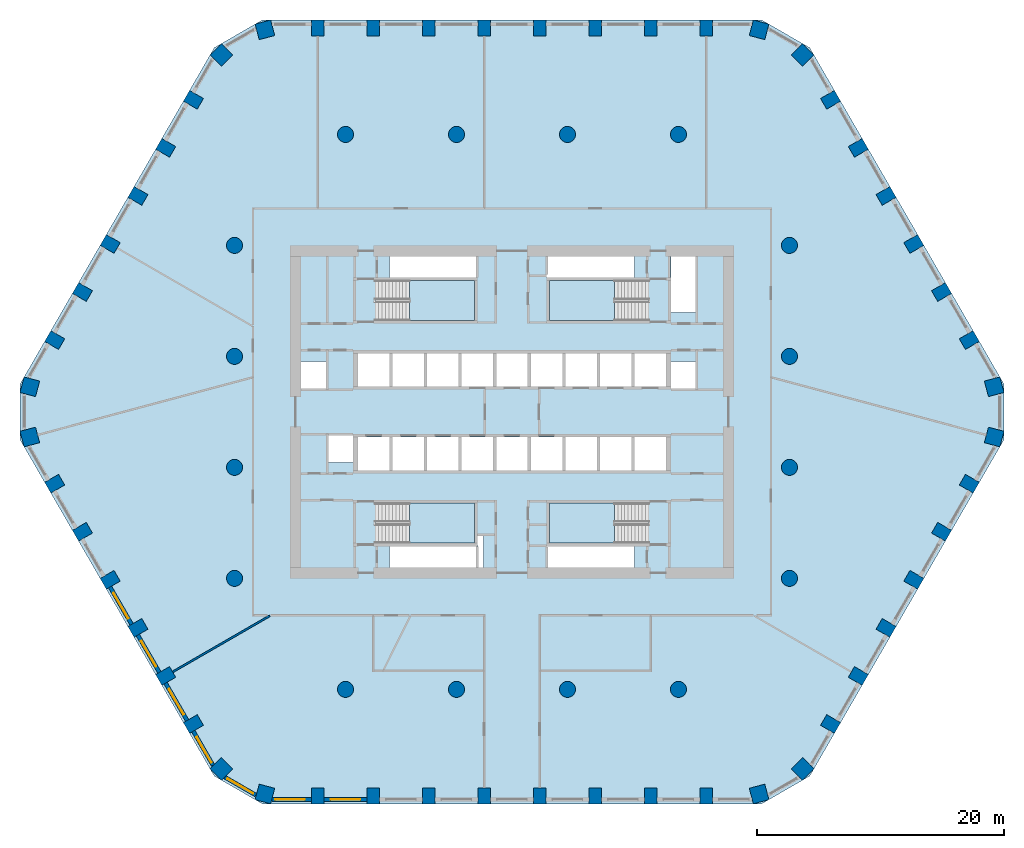
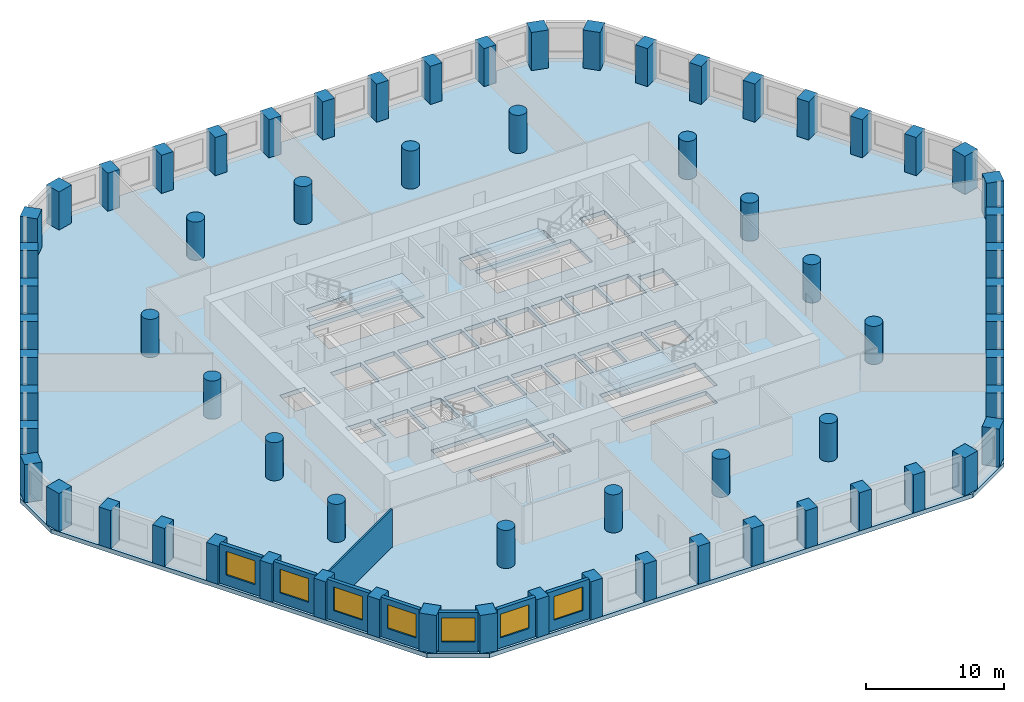
# One storey, part 1 of 9: 68 columns, 8 walls, 7 windows, 5 slabs, 7 openings, 4 elements without a shape of their own.
"""IFC4 building model written with IfcOpenShell, lengths in metres."""

from ifc_helpers import new_model, si_unit, direction, frame, frame_2d, origin, origin_2d, place, context, subcontext, project, spatial, polyline, rectangle, circle, outline, extrude, material, layer, layer_set, material_profile, profile_set, type_object, element, fill, aggregate, save


model = new_model("IFC4")

# Units and contexts
model_context = context("Model", 3, precision=1e-05, world=origin(), true_north=direction((0.0, 1.0)))
body_context = subcontext(model_context, "Body", "Model", "MODEL_VIEW")
ifc_project = project(units=[si_unit("LENGTHUNIT", "METRE"), si_unit("AREAUNIT", "SQUARE_METRE"), si_unit("VOLUMEUNIT", "CUBIC_METRE"), si_unit("PLANEANGLEUNIT", "RADIAN"), si_unit("MASSUNIT", "GRAM", prefix="KILO")], contexts=[model_context])

# Site, building, storey
site_placement = place(None, origin())
site = spatial("IfcSite", under=ifc_project, at=site_placement, CompositionType="ELEMENT")
building_placement = place(site_placement, origin())
building = spatial("IfcBuilding", under=site, at=building_placement, Name="Dhurran Vertical Campus", CompositionType="ELEMENT")
storey_placement = place(building_placement, frame((0.0, 0.0, 124.199951171875)))
storey = spatial("IfcBuildingStorey", under=building, at=storey_placement, Name="L30", CompositionType="ELEMENT", Elevation=124.199951171875)

# Columns
ifc_material_1 = material(Name="Concrete C60/75", Category="concrete")
ifc_material_profile_1 = material_profile(ifc_material_1, rectangle(XDim=1.0, YDim=1.300048828125, at=origin_2d()), Name="RC 1000x1300")
ifc_profile_set_1 = profile_set([ifc_material_profile_1], Name="Concrete C60/75")
column_type_1 = type_object("IfcColumnType", Name="FR COL RC 1000x1300 C60/75", PredefinedType="COLUMN", material=ifc_profile_set_1)
for number, where, z_axis, x_axis, name in (
    (1, (-15.75, -31.1298828125, 0.0), (0.0, 0.0, 1.0), (1.0, 0.0, 0.0), "Perimeter pier PP2.01"),
    (2, (-11.25, -31.1298828125, 0.0), (0.0, 0.0, 1.0), (1.0, 0.0, 0.0), "Perimeter pier PP2.02"),
    (3, (-6.75, -31.1298828125, 0.0), (0.0, 0.0, 1.0), (1.0, 0.0, 0.0), "Perimeter pier PP2.03"),
    (4, (-2.25, -31.1298828125, 0.0), (0.0, 0.0, 1.0), (1.0, 0.0, 0.0), "Perimeter pier PP2.04"),
    (5, (2.25, -31.1298828125, 0.0), (0.0, 0.0, 1.0), (1.0, 0.0, 0.0), "Perimeter pier PP2.05"),
    (6, (6.75, -31.1298828125, 0.0), (0.0, 0.0, 1.0), (1.0, 0.0, 0.0), "Perimeter pier PP2.06"),
    (7, (11.25, -31.1298828125, 0.0), (0.0, 0.0, 1.0), (1.0, 0.0, 0.0), "Perimeter pier PP2.07"),
    (8, (15.75, -31.1298828125, 0.0), (0.0, 0.0, 1.0), (1.0, 0.0, 0.0), "Perimeter pier PP2.08"),
    (9, (25.834228515625, -25.3076171875, 0.0), (0.0, 0.0, 1.0), (0.5, 0.866025403784, 0.0), "Perimeter pier PP2.11"),
    (10, (28.084228515625, -21.41064453125, 0.0), (0.0, 0.0, 1.0), (0.5, 0.866025403784, 0.0), "Perimeter pier PP2.12"),
    (11, (30.334228515625, -17.513427734375, 0.0), (0.0, 0.0, 1.0), (0.5, 0.866025403784, 0.0), "Perimeter pier PP2.13"),
    (12, (32.584228515625, -13.6162109375, 0.0), (0.0, 0.0, 1.0), (0.5, 0.866025403784, 0.0), "Perimeter pier PP2.14"),
    (13, (34.834228515625, -9.71923828125, 0.0), (0.0, 0.0, 1.0), (0.5, 0.866025403784, 0.0), "Perimeter pier PP2.15"),
    (14, (37.084228515625, -5.822021484375, 0.0), (0.0, 0.0, 1.0), (0.5, 0.866025403784, 0.0), "Perimeter pier PP2.16"),
    (15, (37.084228515625, 5.822021484375, 0.0), (0.0, 0.0, 1.0), (-0.5, 0.866025403784, 0.0), "Perimeter pier PP2.19"),
    (16, (34.834228515625, 9.71923828125, 0.0), (0.0, 0.0, 1.0), (-0.5, 0.866025403784, 0.0), "Perimeter pier PP2.20"),
    (17, (32.584228515625, 13.6162109375, 0.0), (0.0, 0.0, 1.0), (-0.5, 0.866025403784, 0.0), "Perimeter pier PP2.21"),
    (18, (30.334228515625, 17.513427734375, 0.0), (0.0, 0.0, 1.0), (-0.5, 0.866025403784, 0.0), "Perimeter pier PP2.22"),
    (19, (28.084228515625, 21.41064453125, 0.0), (0.0, 0.0, 1.0), (-0.5, 0.866025403784, 0.0), "Perimeter pier PP2.23"),
    (20, (25.834228515625, 25.3076171875, 0.0), (0.0, 0.0, 1.0), (-0.5, 0.866025403784, 0.0), "Perimeter pier PP2.24"),
    (21, (15.75, 31.1298828125, 0.0), (0.0, 0.0, 1.0), (-1.0, 0.0, 0.0), "Perimeter pier PP2.27"),
    (22, (11.25, 31.1298828125, 0.0), (0.0, 0.0, 1.0), (-1.0, 0.0, 0.0), "Perimeter pier PP2.28"),
    (23, (6.75, 31.1298828125, 0.0), (0.0, 0.0, 1.0), (-1.0, 0.0, 0.0), "Perimeter pier PP2.29"),
    (24, (2.25, 31.1298828125, 0.0), (0.0, 0.0, 1.0), (-1.0, 0.0, 0.0), "Perimeter pier PP2.30"),
    (25, (-2.25, 31.1298828125, 0.0), (0.0, 0.0, 1.0), (-1.0, 0.0, 0.0), "Perimeter pier PP2.31"),
    (26, (-6.75, 31.1298828125, 0.0), (0.0, 0.0, 1.0), (-1.0, 0.0, 0.0), "Perimeter pier PP2.32"),
    (27, (-11.25, 31.1298828125, 0.0), (0.0, 0.0, 1.0), (-1.0, 0.0, 0.0), "Perimeter pier PP2.33"),
    (28, (-15.75, 31.1298828125, 0.0), (0.0, 0.0, 1.0), (-1.0, 0.0, 0.0), "Perimeter pier PP2.34"),
    (29, (-25.834228515625, 25.3076171875, 0.0), (0.0, 0.0, 1.0), (-0.5, -0.866025403784, 0.0), "Perimeter pier PP2.37"),
    (30, (-28.084228515625, 21.41064453125, 0.0), (0.0, 0.0, 1.0), (-0.5, -0.866025403784, 0.0), "Perimeter pier PP2.38"),
    (31, (-30.334228515625, 17.513427734375, 0.0), (0.0, 0.0, 1.0), (-0.5, -0.866025403784, 0.0), "Perimeter pier PP2.39"),
    (32, (-32.584228515625, 13.6162109375, 0.0), (0.0, 0.0, 1.0), (-0.5, -0.866025403784, 0.0), "Perimeter pier PP2.40"),
    (33, (-34.834228515625, 9.71923828125, 0.0), (0.0, 0.0, 1.0), (-0.5, -0.866025403784, 0.0), "Perimeter pier PP2.41"),
    (34, (-37.084228515625, 5.822021484375, 0.0), (0.0, 0.0, 1.0), (-0.5, -0.866025403784, 0.0), "Perimeter pier PP2.42"),
    (35, (-37.084228515625, -5.822021484375, 0.0), (0.0, 0.0, 1.0), (0.5, -0.866025403784, 0.0), "Perimeter pier PP2.45"),
    (36, (-34.834228515625, -9.71923828125, 0.0), (0.0, 0.0, 1.0), (0.5, -0.866025403784, 0.0), "Perimeter pier PP2.46"),
    (37, (-32.584228515625, -13.6162109375, 0.0), (0.0, 0.0, 1.0), (0.5, -0.866025403784, 0.0), "Perimeter pier PP2.47"),
    (38, (-30.334228515625, -17.513427734375, 0.0), (0.0, 0.0, 1.0), (0.5, -0.866025403784, 0.0), "Perimeter pier PP2.48"),
    (39, (-28.084228515625, -21.41064453125, 0.0), (0.0, 0.0, 1.0), (0.5, -0.866025403784, 0.0), "Perimeter pier PP2.49"),
    (40, (-25.834228515625, -25.3076171875, 0.0), (0.0, 0.0, 1.0), (0.5, -0.866025403784, 0.0), "Perimeter pier PP2.50"),
):
    element("IfcColumn", number, at=place(storey_placement, frame(where, z_axis=z_axis, x_axis=x_axis)), inside=storey, type_object=column_type_1, Name=name, PredefinedType="COLUMN", context=body_context, shape_type="SweptSolid", body=[
        extrude(rectangle(XDim=1.0, YDim=1.300048828125, at=origin_2d()), origin(), (0.0, 0.0, 1.0), 3.375),
    ])
ifc_material_2 = material(Name="Concrete C60/75", Category="concrete")
ifc_material_profile_2 = material_profile(ifc_material_2, rectangle(XDim=1.300048828125, YDim=1.300048828125, at=origin_2d()), Name="RC 1300x1300")
ifc_profile_set_2 = profile_set([ifc_material_profile_2], Name="Concrete C60/75")
column_type_2 = type_object("IfcColumnType", Name="FR COL RC 1300x1300 C60/75", PredefinedType="COLUMN", material=ifc_profile_set_2)
for number, where, z_axis, x_axis, name in (
    (41, (-20.03662109375, -30.983642578125, 0.0), (0.0, 0.0, 1.0), (0.965925826289, -0.258819045103, 0.0), "Perimeter pier PP2.00"),
    (42, (20.03662109375, -30.983642578125, 0.0), (0.0, 0.0, 1.0), (0.965925826289, 0.258819045103, 0.0), "Perimeter pier PP2.09"),
    (43, (23.564208984375, -28.947021484375, 0.0), (0.0, 0.0, 1.0), (0.707106781187, 0.707106781187, 0.0), "Perimeter pier PP2.10"),
    (44, (39.10107421875, -2.03662109375, 0.0), (0.0, 0.0, 1.0), (0.258819045103, 0.965925826289, 0.0), "Perimeter pier PP2.17"),
    (45, (39.10107421875, 2.03662109375, 0.0), (0.0, 0.0, 1.0), (-0.258819045103, 0.965925826289, 0.0), "Perimeter pier PP2.18"),
    (46, (23.564208984375, 28.947021484375, 0.0), (0.0, 0.0, 1.0), (-0.707106781187, 0.707106781187, 0.0), "Perimeter pier PP2.25"),
    (47, (20.03662109375, 30.983642578125, 0.0), (0.0, 0.0, 1.0), (-0.965925826289, 0.258819045103, 0.0), "Perimeter pier PP2.26"),
    (48, (-20.03662109375, 30.983642578125, 0.0), (0.0, 0.0, 1.0), (-0.965925826289, -0.258819045103, 0.0), "Perimeter pier PP2.35"),
    (49, (-23.564208984375, 28.947021484375, 0.0), (0.0, 0.0, 1.0), (-0.707106781187, -0.707106781187, 0.0), "Perimeter pier PP2.36"),
    (50, (-39.10107421875, 2.03662109375, 0.0), (0.0, 0.0, 1.0), (-0.258819045103, -0.965925826289, 0.0), "Perimeter pier PP2.43"),
    (51, (-39.10107421875, -2.03662109375, 0.0), (0.0, 0.0, 1.0), (0.258819045103, -0.965925826289, 0.0), "Perimeter pier PP2.44"),
    (52, (-23.564208984375, -28.947021484375, 0.0), (0.0, 0.0, 1.0), (0.707106781187, -0.707106781187, 0.0), "Perimeter pier PP2.51"),
):
    element("IfcColumn", number, at=place(storey_placement, frame(where, z_axis=z_axis, x_axis=x_axis)), inside=storey, type_object=column_type_2, Name=name, PredefinedType="COLUMN", context=body_context, shape_type="SweptSolid", body=[
        extrude(rectangle(XDim=1.300048828125, YDim=1.300048828125, at=origin_2d()), origin(), (0.0, 0.0, 1.0), 3.375),
    ])
ifc_material_3 = material(Name="Concrete C60/75", Category="concrete")
ifc_material_profile_3 = material_profile(ifc_material_3, circle(Radius=0.64990234375, at=origin_2d()), Name="RCC D1300")
ifc_profile_set_3 = profile_set([ifc_material_profile_3], Name="Concrete C60/75")
column_type_3 = type_object("IfcColumnType", Name="FR COL RCC D1300 C60/75", PredefinedType="COLUMN", material=ifc_profile_set_3)
for number, where, z_axis, x_axis, name in (
    (53, (-22.5, -13.5, 0.0), (0.0, 0.0, 1.0), (1.0, 0.0, 0.0), "Inner column IC2-D4"),
    (54, (-22.5, -4.5, 0.0), (0.0, 0.0, 1.0), (1.0, 0.0, 0.0), "Inner column IC2-D5"),
    (55, (-22.5, 4.5, 0.0), (0.0, 0.0, 1.0), (1.0, 0.0, 0.0), "Inner column IC2-D6"),
    (56, (-22.5, 13.5, 0.0), (0.0, 0.0, 1.0), (1.0, 0.0, 0.0), "Inner column IC2-D7"),
    (57, (-13.5, -22.5, 0.0), (0.0, 0.0, 1.0), (1.0, 0.0, 0.0), "Inner column IC2-E3"),
    (58, (-13.5, 22.5, 0.0), (0.0, 0.0, 1.0), (1.0, 0.0, 0.0), "Inner column IC2-E8"),
    (59, (-4.5, -22.5, 0.0), (0.0, 0.0, 1.0), (1.0, 0.0, 0.0), "Inner column IC2-F3"),
    (60, (-4.5, 22.5, 0.0), (0.0, 0.0, 1.0), (1.0, 0.0, 0.0), "Inner column IC2-F8"),
    (61, (4.5, -22.5, 0.0), (0.0, 0.0, 1.0), (1.0, 0.0, 0.0), "Inner column IC2-G3"),
    (62, (4.5, 22.5, 0.0), (0.0, 0.0, 1.0), (1.0, 0.0, 0.0), "Inner column IC2-G8"),
    (63, (13.5, -22.5, 0.0), (0.0, 0.0, 1.0), (1.0, 0.0, 0.0), "Inner column IC2-H3"),
    (64, (13.5, 22.5, 0.0), (0.0, 0.0, 1.0), (1.0, 0.0, 0.0), "Inner column IC2-H8"),
    (65, (22.5, -13.5, 0.0), (0.0, 0.0, 1.0), (1.0, 0.0, 0.0), "Inner column IC2-J4"),
    (66, (22.5, -4.5, 0.0), (0.0, 0.0, 1.0), (1.0, 0.0, 0.0), "Inner column IC2-J5"),
    (67, (22.5, 4.5, 0.0), (0.0, 0.0, 1.0), (1.0, 0.0, 0.0), "Inner column IC2-J6"),
    (68, (22.5, 13.5, 0.0), (0.0, 0.0, 1.0), (1.0, 0.0, 0.0), "Inner column IC2-J7"),
):
    element("IfcColumn", number, at=place(storey_placement, frame(where, z_axis=z_axis, x_axis=x_axis)), inside=storey, type_object=column_type_3, Name=name, PredefinedType="COLUMN", context=body_context, shape_type="SweptSolid", body=[
        extrude(circle(Radius=0.64990234375, at=origin_2d()), origin(), (0.0, 0.0, 1.0), 3.375),
    ])

# Slab
ifc_material_4 = material(Name="Concrete C40/50", Category="concrete")
ifc_layer_1 = layer(ifc_material_4, 0.375)
ifc_layer_set_1 = layer_set([ifc_layer_1], Name="Concrete C40/50")
slab_type_1 = type_object("IfcSlabType", Name="FR POST-TENSIONED FLAT SLAB 375", PredefinedType="FLOOR", material=ifc_layer_set_1)
slab_1_placement = place(storey_placement, frame((0.0, 0.0, -0.375)))
element("IfcSlab", 69, at=slab_1_placement, inside=storey, type_object=slab_type_1, Name="Floor slab L30", PredefinedType="FLOOR", context=body_context, shape_type="SweptSolid", body=[
    extrude(outline(polyline([(-20.25, -31.77978515625), (20.25, -31.77978515625), (24.147216796875, -29.52978515625), (39.897216796875, -2.25), (39.897216796875, 2.25), (24.147216796875, 29.52978515625), (20.25, 31.77978515625), (-20.25, 31.77978515625), (-24.147216796875, 29.52978515625), (-39.897216796875, 2.25), (-39.897216796875, -2.25), (-24.147216796875, -29.52978515625), (-20.25, -31.77978515625)]), holes=[polyline([(-12.47509765625, 2.050048828125), (-9.925048828125, 2.050048828125), (-9.925048828125, 4.75), (-12.47509765625, 4.75), (-12.47509765625, 2.050048828125)]), polyline([(-9.675048828125, 2.050048828125), (-7.125, 2.050048828125), (-7.125, 4.75), (-9.675048828125, 4.75), (-9.675048828125, 2.050048828125)]), polyline([(-6.875, 2.050048828125), (-4.324951171875, 2.050048828125), (-4.324951171875, 4.75), (-6.875, 4.75), (-6.875, 2.050048828125)]), polyline([(-1.27490234375, 2.050048828125), (1.27490234375, 2.050048828125), (1.27490234375, 4.75), (-1.27490234375, 4.75), (-1.27490234375, 2.050048828125)]), polyline([(9.925048828125, 2.050048828125), (12.47509765625, 2.050048828125), (12.47509765625, 4.75), (9.925048828125, 4.75), (9.925048828125, 2.050048828125)]), polyline([(-1.27490234375, -4.75), (1.27490234375, -4.75), (1.27490234375, -2.050048828125), (-1.27490234375, -2.050048828125), (-1.27490234375, -4.75)]), polyline([(1.52490234375, -4.75), (4.074951171875, -4.75), (4.074951171875, -2.050048828125), (1.52490234375, -2.050048828125), (1.52490234375, -4.75)]), polyline([(4.324951171875, -4.75), (6.875, -4.75), (6.875, -2.050048828125), (4.324951171875, -2.050048828125), (4.324951171875, -4.75)]), polyline([(7.125, -4.75), (9.675048828125, -4.75), (9.675048828125, -2.050048828125), (7.125, -2.050048828125), (7.125, -4.75)]), polyline([(9.925048828125, -4.75), (12.47509765625, -4.75), (12.47509765625, -2.050048828125), (9.925048828125, -2.050048828125), (9.925048828125, -4.75)]), polyline([(-4.074951171875, 2.050048828125), (-1.52490234375, 2.050048828125), (-1.52490234375, 4.75), (-4.074951171875, 4.75), (-4.074951171875, 2.050048828125)]), polyline([(1.52490234375, 2.050048828125), (4.074951171875, 2.050048828125), (4.074951171875, 4.75), (1.52490234375, 4.75), (1.52490234375, 2.050048828125)]), polyline([(4.324951171875, 2.050048828125), (6.875, 2.050048828125), (6.875, 4.75), (4.324951171875, 4.75), (4.324951171875, 2.050048828125)]), polyline([(7.125, 2.050048828125), (9.675048828125, 2.050048828125), (9.675048828125, 4.75), (7.125, 4.75), (7.125, 2.050048828125)]), polyline([(-12.47509765625, -4.75), (-9.925048828125, -4.75), (-9.925048828125, -2.050048828125), (-12.47509765625, -2.050048828125), (-12.47509765625, -4.75)]), polyline([(-9.675048828125, -4.75), (-7.125, -4.75), (-7.125, -2.050048828125), (-9.675048828125, -2.050048828125), (-9.675048828125, -4.75)]), polyline([(-6.875, -4.75), (-4.324951171875, -4.75), (-4.324951171875, -2.050048828125), (-6.875, -2.050048828125), (-6.875, -4.75)]), polyline([(-4.074951171875, -4.75), (-1.52490234375, -4.75), (-1.52490234375, -2.050048828125), (-4.074951171875, -2.050048828125), (-4.074951171875, -4.75)]), polyline([(-11.050048828125, 7.39990234375), (-3.050048828125, 7.39990234375), (-3.050048828125, 10.64990234375), (-11.050048828125, 10.64990234375), (-11.050048828125, 7.39990234375)]), polyline([(3.050048828125, 7.39990234375), (11.050048828125, 7.39990234375), (11.050048828125, 10.64990234375), (3.050048828125, 10.64990234375), (3.050048828125, 7.39990234375)]), polyline([(-11.050048828125, -10.64990234375), (-3.050048828125, -10.64990234375), (-3.050048828125, -7.39990234375), (-11.050048828125, -7.39990234375), (-11.050048828125, -10.64990234375)]), polyline([(3.050048828125, -10.64990234375), (11.050048828125, -10.64990234375), (11.050048828125, -7.39990234375), (3.050048828125, -7.39990234375), (3.050048828125, -10.64990234375)]), polyline([(-9.949951171875, 10.89990234375), (-9.949951171875, 12.60009765625), (-2.800048828125, 12.60009765625), (-2.800048828125, 10.89990234375), (-9.949951171875, 10.89990234375)]), polyline([(9.949951171875, 12.60009765625), (9.949951171875, 10.89990234375), (2.800048828125, 10.89990234375), (2.800048828125, 12.60009765625), (9.949951171875, 12.60009765625)]), polyline([(-9.949951171875, -12.60009765625), (-9.949951171875, -10.89990234375), (-2.800048828125, -10.89990234375), (-2.800048828125, -12.60009765625), (-9.949951171875, -12.60009765625)]), polyline([(9.949951171875, -10.89990234375), (9.949951171875, -12.60009765625), (2.800048828125, -12.60009765625), (2.800048828125, -10.89990234375), (9.949951171875, -10.89990234375)]), polyline([(-12.89990234375, -4.10009765625), (-15.0, -4.10009765625), (-15.0, -1.800048828125), (-12.89990234375, -1.800048828125), (-12.89990234375, -4.10009765625)]), polyline([(-17.10009765625, 4.10009765625), (-15.0, 4.10009765625), (-15.0, 1.800048828125), (-17.10009765625, 1.800048828125), (-17.10009765625, 4.10009765625)]), polyline([(12.89990234375, 4.10009765625), (15.0, 4.10009765625), (15.0, 1.800048828125), (12.89990234375, 1.800048828125), (12.89990234375, 4.10009765625)]), polyline([(-2.300048828125, -9.97509765625), (-2.300048828125, -12.60009765625), (-2.75, -12.60009765625), (-2.75, -10.85009765625), (-2.800048828125, -10.85009765625), (-2.800048828125, -9.97509765625), (-2.300048828125, -9.97509765625)]), polyline([(15.0, 8.050048828125), (12.89990234375, 8.050048828125), (12.89990234375, 12.60009765625), (15.0, 12.60009765625), (15.0, 8.050048828125)])]), origin(), (0.0, 0.0, 1.0), 0.375),
])

# Stair, slab
ifc_material_5 = material(Name="Concrete C40/50", Category="concrete")
stair_type = type_object("IfcStairType", Name="co-ST-CORE", PredefinedType="HALF_TURN_STAIR", material=ifc_material_5)
stair_1_placement = place(storey_placement, origin())
stair_1 = element("IfcStair", 70, at=stair_1_placement, inside=storey, type_object=stair_type, Name="L30 Protected exit stair ST1", PredefinedType="HALF_TURN_STAIR")
ifc_material_6 = material(Name="Concrete C40/50", Category="concrete")
ifc_layer_2 = layer(ifc_material_6, 0.199951171875)
ifc_layer_set_2 = layer_set([ifc_layer_2], Name="Concrete C40/50")
slab_type_2 = type_object("IfcSlabType", Name="co-SL-LANDING", PredefinedType="LANDING", material=ifc_layer_set_2)
slab_2_placement = place(storey_placement, frame((0.0, 0.0, 1.75)))
slab_2 = element("IfcSlab", 71, at=slab_2_placement, type_object=slab_type_2, Name="ST1 landing 1", PredefinedType="LANDING", context=body_context, shape_type="SweptSolid", body=[
    extrude(outline(polyline([(-8.300048828125, 7.39990234375), (-3.050048828125, 7.39990234375), (-3.050048828125, 10.64990234375), (-8.300048828125, 10.64990234375), (-8.300048828125, 7.39990234375)])), origin(), (0.0, 0.0, 1.0), 0.199951171875),
])
aggregate(stair_1, [slab_2])

stair_2_placement = place(storey_placement, origin())
stair_2 = element("IfcStair", 72, at=stair_2_placement, inside=storey, type_object=stair_type, Name="L30 Protected exit stair ST2", PredefinedType="HALF_TURN_STAIR")
slab_3_placement = place(storey_placement, frame((0.0, 0.0, 1.75)))
slab_3 = element("IfcSlab", 73, at=slab_3_placement, type_object=slab_type_2, Name="ST2 landing 1", PredefinedType="LANDING", context=body_context, shape_type="SweptSolid", body=[
    extrude(outline(polyline([(8.300048828125, 10.64990234375), (3.050048828125, 10.64990234375), (3.050048828125, 7.39990234375), (8.300048828125, 7.39990234375), (8.300048828125, 10.64990234375)])), origin(), (0.0, 0.0, 1.0), 0.199951171875),
])
aggregate(stair_2, [slab_3])

stair_3_placement = place(storey_placement, origin())
stair_3 = element("IfcStair", 74, at=stair_3_placement, inside=storey, type_object=stair_type, Name="L30 Protected exit stair ST3", PredefinedType="HALF_TURN_STAIR")
slab_4_placement = place(storey_placement, frame((0.0, 0.0, 1.75)))
slab_4 = element("IfcSlab", 75, at=slab_4_placement, type_object=slab_type_2, Name="ST3 landing 1", PredefinedType="LANDING", context=body_context, shape_type="SweptSolid", body=[
    extrude(outline(polyline([(-8.300048828125, -10.64990234375), (-3.050048828125, -10.64990234375), (-3.050048828125, -7.39990234375), (-8.300048828125, -7.39990234375), (-8.300048828125, -10.64990234375)])), origin(), (0.0, 0.0, 1.0), 0.199951171875),
])
aggregate(stair_3, [slab_4])

stair_4_placement = place(storey_placement, origin())
stair_4 = element("IfcStair", 76, at=stair_4_placement, inside=storey, type_object=stair_type, Name="L30 Protected exit stair ST4", PredefinedType="HALF_TURN_STAIR")
slab_5_placement = place(storey_placement, frame((0.0, 0.0, 1.75)))
slab_5 = element("IfcSlab", 77, at=slab_5_placement, type_object=slab_type_2, Name="ST4 landing 1", PredefinedType="LANDING", context=body_context, shape_type="SweptSolid", body=[
    extrude(outline(polyline([(8.300048828125, -7.39990234375), (3.050048828125, -7.39990234375), (3.050048828125, -10.64990234375), (8.300048828125, -10.64990234375), (8.300048828125, -7.39990234375)])), origin(), (0.0, 0.0, 1.0), 0.199951171875),
])
aggregate(stair_4, [slab_5])

# Wall, opening, window
ifc_material_7 = material(Name="Precast concrete C50/60", Category="concrete")
ifc_layer_3 = layer(ifc_material_7, 0.300048828125)
ifc_layer_set_3 = layer_set([ifc_layer_3], Name="Precast concrete C50/60")
wall_type_1 = type_object("IfcWallType", Name="Precast spandrel wall 300", PredefinedType="SOLIDWALL", material=ifc_layer_set_3)
wall_1_placement = place(storey_placement, frame((-19.44287109375, -31.4296875, 0.0), z_axis=(0.0, 0.0, 1.0), x_axis=(1.0, 0.0, 0.0)))
wall_1 = element("IfcWall", 78, at=wall_1_placement, inside=storey, type_object=wall_type_1, Name="EW1 L30.00", PredefinedType="SOLIDWALL", context=body_context, shape_type="SweptSolid", body=[
    extrude(rectangle(XDim=3.1923828125, YDim=0.300048828125, at=frame_2d((1.59619140625, 0.0))), origin(), (0.0, 0.0, 1.0), 3.5),
])
opening_1_placement = place(wall_1_placement, frame((0.242919921875, 0.0, 0.89990234375)))
opening_1 = element("IfcOpeningElement", 79, at=opening_1_placement, cuts=wall_1, Name="Opening WT1", PredefinedType="OPENING", context=body_context, shape_type="SweptSolid", body=[
    extrude(rectangle(XDim=2.39990234375, YDim=2.10009765625, at=frame_2d((1.199951171875, 1.050048828125))), frame((0.0, 0.159912109375, 0.0), z_axis=(0.0, -1.0, 0.0), x_axis=(1.0, 0.0, 0.0)), (0.0, 0.0, 1.0), 0.320068359375),
])
ifc_material_8 = material(Name="Aluminium frame with solar-control glass", Category="aluminium")
window_type = type_object("IfcWindowType", Name="Punched window 2400 x 2100", PartitioningType="SINGLE_PANEL", PredefinedType="WINDOW", material=ifc_material_8)
window_1_placement = place(opening_1_placement, origin())
window_1 = element("IfcWindow", 80, at=window_1_placement, inside=storey, type_object=window_type, Name="WT1 L30.00", OverallHeight=2.10009765625, OverallWidth=2.39990234375, PartitioningType="SINGLE_PANEL", PredefinedType="WINDOW", context=body_context, shape_type="SweptSolid", body=[
    extrude(rectangle(XDim=2.39990234375, YDim=2.10009765625, at=frame_2d((1.199951171875, 1.050048828125))), frame((0.0, 0.030029296875, 0.0), z_axis=(0.0, -1.0, 0.0), x_axis=(1.0, 0.0, 0.0)), (0.0, 0.0, 1.0), 0.06005859375),
])
fill(opening_1, window_1)

wall_2_placement = place(storey_placement, frame((-15.24951171875, -31.4296875, 0.0), z_axis=(0.0, 0.0, 1.0), x_axis=(1.0, 0.0, 0.0)))
wall_2 = element("IfcWall", 81, at=wall_2_placement, inside=storey, type_object=wall_type_1, Name="EW1 L30.01", PredefinedType="SOLIDWALL", context=body_context, shape_type="SweptSolid", body=[
    extrude(rectangle(XDim=3.4990234375, YDim=0.300048828125, at=frame_2d((1.74951171875, 0.0))), origin(), (0.0, 0.0, 1.0), 3.5),
])
opening_2_placement = place(wall_2_placement, frame((0.549560546875, 0.0, 0.89990234375)))
opening_2 = element("IfcOpeningElement", 82, at=opening_2_placement, cuts=wall_2, Name="Opening WT1", PredefinedType="OPENING", context=body_context, shape_type="SweptSolid", body=[
    extrude(rectangle(XDim=2.39990234375, YDim=2.10009765625, at=frame_2d((1.199951171875, 1.050048828125))), frame((0.0, 0.159912109375, 0.0), z_axis=(0.0, -1.0, 0.0), x_axis=(1.0, 0.0, 0.0)), (0.0, 0.0, 1.0), 0.320068359375),
])
window_2_placement = place(opening_2_placement, origin())
window_2 = element("IfcWindow", 83, at=window_2_placement, inside=storey, type_object=window_type, Name="WT1 L30.01", OverallHeight=2.10009765625, OverallWidth=2.39990234375, PartitioningType="SINGLE_PANEL", PredefinedType="WINDOW", context=body_context, shape_type="SweptSolid", body=[
    extrude(rectangle(XDim=2.39990234375, YDim=2.10009765625, at=frame_2d((1.199951171875, 1.050048828125))), frame((0.0, 0.030029296875, 0.0), z_axis=(0.0, -1.0, 0.0), x_axis=(1.0, 0.0, 0.0)), (0.0, 0.0, 1.0), 0.06005859375),
])
fill(opening_2, window_2)

wall_3_placement = place(storey_placement, frame((-32.59375, -14.19970703125, 0.0), z_axis=(0.0, 0.0, 1.0), x_axis=(0.499996256241, -0.866027565234, 0.0)))
wall_3 = element("IfcWall", 84, at=wall_3_placement, inside=storey, type_object=wall_type_1, Name="EW1 L30.47", PredefinedType="SOLIDWALL", context=body_context, shape_type="SweptSolid", body=[
    extrude(rectangle(XDim=3.4990234375, YDim=0.300048828125, at=frame_2d((1.74951171875, 0.0))), origin(), (0.0, 0.0, 1.0), 3.5),
])
opening_3_placement = place(wall_3_placement, frame((0.549560546875, 0.0, 0.89990234375)))
opening_3 = element("IfcOpeningElement", 85, at=opening_3_placement, cuts=wall_3, Name="Opening WT1", PredefinedType="OPENING", context=body_context, shape_type="SweptSolid", body=[
    extrude(rectangle(XDim=2.39990234375, YDim=2.10009765625, at=frame_2d((1.199951171875, 1.050048828125))), frame((0.0, 0.159912109375, 0.0), z_axis=(0.0, -1.0, 0.0), x_axis=(1.0, 0.0, 0.0)), (0.0, 0.0, 1.0), 0.320068359375),
])
window_3_placement = place(opening_3_placement, origin())
window_3 = element("IfcWindow", 86, at=window_3_placement, inside=storey, type_object=window_type, Name="WT1 L30.47", OverallHeight=2.10009765625, OverallWidth=2.39990234375, PartitioningType="SINGLE_PANEL", PredefinedType="WINDOW", context=body_context, shape_type="SweptSolid", body=[
    extrude(rectangle(XDim=2.39990234375, YDim=2.10009765625, at=frame_2d((1.199951171875, 1.050048828125))), frame((0.0, 0.030029296875, 0.0), z_axis=(0.0, -1.0, 0.0), x_axis=(1.0, 0.0, 0.0)), (0.0, 0.0, 1.0), 0.06005859375),
])
fill(opening_3, window_3)

wall_4_placement = place(storey_placement, frame((-30.34375, -18.096923828125, 0.0), z_axis=(0.0, 0.0, 1.0), x_axis=(0.499996256241, -0.866027565234, 0.0)))
wall_4 = element("IfcWall", 87, at=wall_4_placement, inside=storey, type_object=wall_type_1, Name="EW1 L30.48", PredefinedType="SOLIDWALL", context=body_context, shape_type="SweptSolid", body=[
    extrude(rectangle(XDim=3.4990234375, YDim=0.300048828125, at=frame_2d((1.74951171875, 0.0))), origin(), (0.0, 0.0, 1.0), 3.5),
])
opening_4_placement = place(wall_4_placement, frame((0.549560546875, 0.0, 0.89990234375)))
opening_4 = element("IfcOpeningElement", 88, at=opening_4_placement, cuts=wall_4, Name="Opening WT1", PredefinedType="OPENING", context=body_context, shape_type="SweptSolid", body=[
    extrude(rectangle(XDim=2.39990234375, YDim=2.10009765625, at=frame_2d((1.199951171875, 1.050048828125))), frame((0.0, 0.159912109375, 0.0), z_axis=(0.0, -1.0, 0.0), x_axis=(1.0, 0.0, 0.0)), (0.0, 0.0, 1.0), 0.320068359375),
])
window_4_placement = place(opening_4_placement, origin())
window_4 = element("IfcWindow", 89, at=window_4_placement, inside=storey, type_object=window_type, Name="WT1 L30.48", OverallHeight=2.10009765625, OverallWidth=2.39990234375, PartitioningType="SINGLE_PANEL", PredefinedType="WINDOW", context=body_context, shape_type="SweptSolid", body=[
    extrude(rectangle(XDim=2.39990234375, YDim=2.10009765625, at=frame_2d((1.199951171875, 1.050048828125))), frame((0.0, 0.030029296875, 0.0), z_axis=(0.0, -1.0, 0.0), x_axis=(1.0, 0.0, 0.0)), (0.0, 0.0, 1.0), 0.06005859375),
])
fill(opening_4, window_4)

wall_5_placement = place(storey_placement, frame((-28.09375, -21.993896484375, 0.0), z_axis=(0.0, 0.0, 1.0), x_axis=(0.499996256241, -0.866027565234, 0.0)))
wall_5 = element("IfcWall", 90, at=wall_5_placement, inside=storey, type_object=wall_type_1, Name="EW1 L30.49", PredefinedType="SOLIDWALL", context=body_context, shape_type="SweptSolid", body=[
    extrude(rectangle(XDim=3.4990234375, YDim=0.300048828125, at=frame_2d((1.74951171875, 0.0))), origin(), (0.0, 0.0, 1.0), 3.5),
])
opening_5_placement = place(wall_5_placement, frame((0.549560546875, 0.0, 0.89990234375)))
opening_5 = element("IfcOpeningElement", 91, at=opening_5_placement, cuts=wall_5, Name="Opening WT1", PredefinedType="OPENING", context=body_context, shape_type="SweptSolid", body=[
    extrude(rectangle(XDim=2.39990234375, YDim=2.10009765625, at=frame_2d((1.199951171875, 1.050048828125))), frame((0.0, 0.159912109375, 0.0), z_axis=(0.0, -1.0, 0.0), x_axis=(1.0, 0.0, 0.0)), (0.0, 0.0, 1.0), 0.320068359375),
])
window_5_placement = place(opening_5_placement, origin())
window_5 = element("IfcWindow", 92, at=window_5_placement, inside=storey, type_object=window_type, Name="WT1 L30.49", OverallHeight=2.10009765625, OverallWidth=2.39990234375, PartitioningType="SINGLE_PANEL", PredefinedType="WINDOW", context=body_context, shape_type="SweptSolid", body=[
    extrude(rectangle(XDim=2.39990234375, YDim=2.10009765625, at=frame_2d((1.199951171875, 1.050048828125))), frame((0.0, 0.030029296875, 0.0), z_axis=(0.0, -1.0, 0.0), x_axis=(1.0, 0.0, 0.0)), (0.0, 0.0, 1.0), 0.06005859375),
])
fill(opening_5, window_5)

wall_6_placement = place(storey_placement, frame((-25.84375, -25.89111328125, 0.0), z_axis=(0.0, 0.0, 1.0), x_axis=(0.500004907028, -0.866022570692, 0.0)))
wall_6 = element("IfcWall", 93, at=wall_6_placement, inside=storey, type_object=wall_type_1, Name="EW1 L30.50", PredefinedType="SOLIDWALL", context=body_context, shape_type="SweptSolid", body=[
    extrude(rectangle(XDim=3.1923828125, YDim=0.300048828125, at=frame_2d((1.59619140625, 0.0))), origin(), (0.0, 0.0, 1.0), 3.5),
])
opening_6_placement = place(wall_6_placement, frame((0.549560546875, 0.0, 0.89990234375)))
opening_6 = element("IfcOpeningElement", 94, at=opening_6_placement, cuts=wall_6, Name="Opening WT1", PredefinedType="OPENING", context=body_context, shape_type="SweptSolid", body=[
    extrude(rectangle(XDim=2.39990234375, YDim=2.10009765625, at=frame_2d((1.199951171875, 1.050048828125))), frame((0.0, 0.159912109375, 0.0), z_axis=(0.0, -1.0, 0.0), x_axis=(1.0, 0.0, 0.0)), (0.0, 0.0, 1.0), 0.320068359375),
])
window_6_placement = place(opening_6_placement, origin())
window_6 = element("IfcWindow", 95, at=window_6_placement, inside=storey, type_object=window_type, Name="WT1 L30.50", OverallHeight=2.10009765625, OverallWidth=2.39990234375, PartitioningType="SINGLE_PANEL", PredefinedType="WINDOW", context=body_context, shape_type="SweptSolid", body=[
    extrude(rectangle(XDim=2.39990234375, YDim=2.10009765625, at=frame_2d((1.199951171875, 1.050048828125))), frame((0.0, 0.030029296875, 0.0), z_axis=(0.0, -1.0, 0.0), x_axis=(1.0, 0.0, 0.0)), (0.0, 0.0, 1.0), 0.06005859375),
])
fill(opening_6, window_6)

wall_7_placement = place(storey_placement, frame((-23.273193359375, -29.63037109375, 0.0), z_axis=(0.0, 0.0, 1.0), x_axis=(0.866053149362, -0.49995194017, 0.0)))
wall_7 = element("IfcWall", 96, at=wall_7_placement, inside=storey, type_object=wall_type_1, Name="EW1 L30.51", PredefinedType="SOLIDWALL", context=body_context, shape_type="SweptSolid", body=[
    extrude(rectangle(XDim=2.885498046875, YDim=0.300048828125, at=frame_2d((1.44287109375, 0.0))), origin(), (0.0, 0.0, 1.0), 3.5),
])
opening_7_placement = place(wall_7_placement, frame((0.242919921875, 0.0, 0.89990234375)))
opening_7 = element("IfcOpeningElement", 97, at=opening_7_placement, cuts=wall_7, Name="Opening WT1", PredefinedType="OPENING", context=body_context, shape_type="SweptSolid", body=[
    extrude(rectangle(XDim=2.39990234375, YDim=2.10009765625, at=frame_2d((1.199951171875, 1.050048828125))), frame((0.0, 0.159912109375, 0.0), z_axis=(0.0, -1.0, 0.0), x_axis=(1.0, 0.0, 0.0)), (0.0, 0.0, 1.0), 0.320068359375),
])
window_7_placement = place(opening_7_placement, origin())
window_7 = element("IfcWindow", 98, at=window_7_placement, inside=storey, type_object=window_type, Name="WT1 L30.51", OverallHeight=2.10009765625, OverallWidth=2.39990234375, PartitioningType="SINGLE_PANEL", PredefinedType="WINDOW", context=body_context, shape_type="SweptSolid", body=[
    extrude(rectangle(XDim=2.39990234375, YDim=2.10009765625, at=frame_2d((1.199951171875, 1.050048828125))), frame((0.0, 0.030029296875, 0.0), z_axis=(0.0, -1.0, 0.0), x_axis=(1.0, 0.0, 0.0)), (0.0, 0.0, 1.0), 0.06005859375),
])
fill(opening_7, window_7)

# Wall
ifc_material_9 = material(Name="Gypsum board partition on steel studs", Category="steel")
ifc_layer_4 = layer(ifc_material_9, 0.14990234375)
ifc_layer_set_4 = layer_set([ifc_layer_4], Name="Gypsum board partition on steel studs")
wall_type_2 = type_object("IfcWallType", Name="fl-PW-150 fixed partition", PredefinedType="PARTITIONING", material=ifc_layer_set_4)
wall_8_placement = place(storey_placement, frame((-19.643798828125, -16.53759765625, 0.0), z_axis=(0.0, 0.0, 1.0), x_axis=(-0.866004606565, -0.500036020111, 0.0)))
element("IfcWall", 99, at=wall_8_placement, inside=storey, type_object=wall_type_2, Name="Partition 30-03", PredefinedType="PARTITIONING", context=body_context, shape_type="SweptSolid", body=[
    extrude(rectangle(XDim=9.075927734375, YDim=0.14990234375, at=frame_2d((4.5380859375, 0.0))), origin(), (0.0, 0.0, 1.0), 3.375),
])

save(model, "model.ifc")
